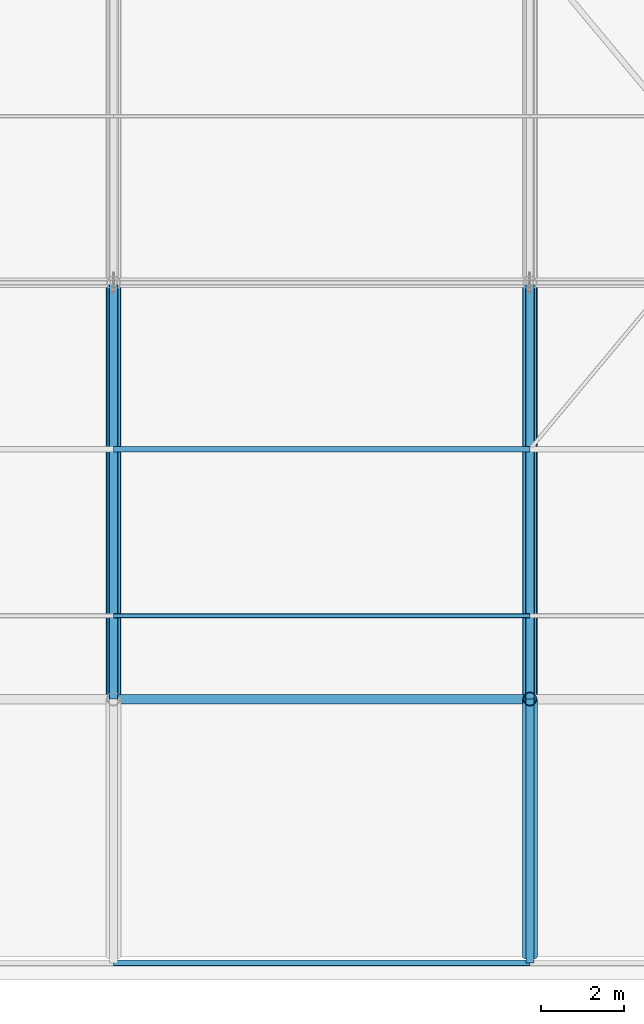
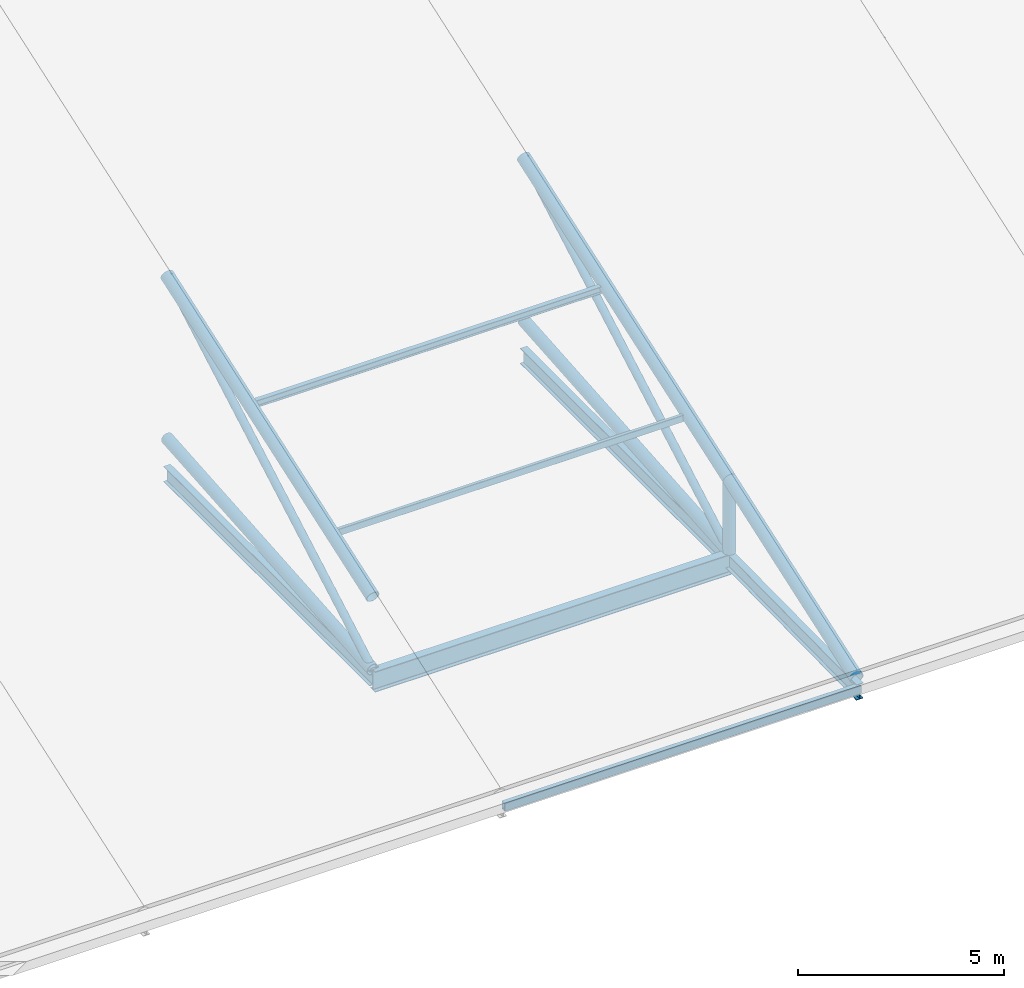
# One storey, part 18 of 93: 10 members, 5 beams.
"""IFC4 building model written with IfcOpenShell, lengths in metres."""

from ifc_helpers import new_model, si_unit, derived_unit, direction, frame, origin, origin_2d_with_axis, place, context, subcontext, project, spatial, hollow_rectangle, hollow_circle, i_section, extrude, material, material_profile, profile_set, type_object, element, save


model = new_model("IFC4")

# Units and contexts
model_context = context("Model", 3, precision=1e-05, world=origin(), true_north=direction((0.0, 1.0)))
body_context = subcontext(model_context, "Body", "Model", "MODEL_VIEW")
ifc_project = project(units=[si_unit("LENGTHUNIT", "METRE"), si_unit("AREAUNIT", "SQUARE_METRE"), si_unit("VOLUMEUNIT", "CUBIC_METRE"), si_unit("PLANEANGLEUNIT", "RADIAN"), si_unit("MASSUNIT", "GRAM", prefix="KILO"), derived_unit("THERMALTRANSMITTANCEUNIT", [(si_unit("POWERUNIT", "WATT"), 1), (si_unit("LENGTHUNIT", "METRE"), -2), (si_unit("THERMODYNAMICTEMPERATUREUNIT", "KELVIN"), -1)])], contexts=[model_context])

# Site, building, storey
site_placement = place(None, origin())
site = spatial("IfcSite", under=ifc_project, at=site_placement, CompositionType="ELEMENT")
building_placement = place(site_placement, origin())
building = spatial("IfcBuilding", under=site, at=building_placement, Name="Cinnabar Yard Market Hall", CompositionType="ELEMENT")
storey_placement = place(building_placement, frame((0.0, 0.0, 23.800048828125)))
storey = spatial("IfcBuildingStorey", under=building, at=storey_placement, Name="ROOF", CompositionType="ELEMENT", Elevation=23.800048828125)

# Beams
ifc_material_1 = material(Name="Steel Grade 350 (350 MPa)", Category="steel")
ifc_material_profile_1 = material_profile(ifc_material_1, i_section(OverallWidth=0.22900390625, OverallDepth=0.611572265625, WebThickness=0.011962890625, FlangeThickness=0.01953125, FilletRadius=0.013916015625, at=origin_2d_with_axis()), Name="610UB125")
ifc_profile_set_1 = profile_set([ifc_material_profile_1], Name="Steel Grade 350 (350 MPa)")
beam_type_1 = type_object("IfcBeamType", Name="BM-B01E", PredefinedType="BEAM", material=ifc_profile_set_1)
beam_1_placement = place(storey_placement, frame((126.0, 14.0, -9.705810546875), z_axis=(1.0, 0.0, 0.0), x_axis=(0.0, 1.0, 0.0)))
element("IfcBeam", 1, at=beam_1_placement, inside=storey, type_object=beam_type_1, Name="South Springer Girder 00364", PredefinedType="BEAM", context=body_context, shape_type="SweptSolid", body=[
    extrude(i_section(OverallWidth=0.22900390625, OverallDepth=0.611572265625, WebThickness=0.011962890625, FlangeThickness=0.01953125, FilletRadius=0.013916015625, at=origin_2d_with_axis()), origin(), (0.0, 0.0, 1.0), 10.0),
])
ifc_material_2 = material(Name="Steel Grade 300 (300 MPa)", Category="steel")
ifc_material_profile_2 = material_profile(ifc_material_2, i_section(OverallWidth=0.19091796875, OverallDepth=0.46044921875, WebThickness=0.010009765625, FlangeThickness=0.01611328125, FilletRadius=0.011474609375, at=origin_2d_with_axis()), Name="460UB82.1")
ifc_profile_set_2 = profile_set([ifc_material_profile_2], Name="Steel Grade 300 (300 MPa)")
beam_type_2 = type_object("IfcBeamType", Name="BM-B04", PredefinedType="BEAM", material=ifc_profile_set_2)
for number, where, z_axis, x_axis, name in (
    (2, (126.0, 24.0, -9.630126953125), (0.0, -1.0, 0.0), (1.0, 0.0, 0.0), "South Chhajja Backspan Girder 00536"),
    (3, (136.0, 24.0, -9.630126953125), (0.0, -1.0, 0.0), (1.0, 0.0, 0.0), "South Chhajja Backspan Girder 00540"),
):
    element("IfcBeam", number, at=place(storey_placement, frame(where, z_axis=z_axis, x_axis=x_axis)), inside=storey, type_object=beam_type_2, Name=name, PredefinedType="BEAM", context=body_context, shape_type="SweptSolid", body=[
        extrude(i_section(OverallWidth=0.19091796875, OverallDepth=0.46044921875, WebThickness=0.010009765625, FlangeThickness=0.01611328125, FilletRadius=0.011474609375, at=origin_2d_with_axis()), origin(), (0.0, 0.0, 1.0), 10.0),
    ])
ifc_material_profile_3 = material_profile(ifc_material_2, i_section(OverallWidth=0.19091796875, OverallDepth=0.46044921875, WebThickness=0.010009765625, FlangeThickness=0.01611328125, FilletRadius=0.011474609375, at=origin_2d_with_axis()), Name="460UB82.1")
ifc_profile_set_3 = profile_set([ifc_material_profile_3], Name="Steel Grade 300 (300 MPa)")
beam_type_3 = type_object("IfcBeamType", Name="BM-RF02E", PredefinedType="BEAM", material=ifc_profile_set_3)
beam_2_placement = place(storey_placement, frame((136.0, 14.0, -9.630126953125), z_axis=(0.0, -0.999920245484, -0.012629436656), x_axis=(1.0, 0.0, 0.0)))
element("IfcBeam", 4, at=beam_2_placement, inside=storey, type_object=beam_type_3, Name="South Chhajja Cantilever Rafter 00541", PredefinedType="BEAM", context=body_context, shape_type="SweptSolid", body=[
    extrude(i_section(OverallWidth=0.19091796875, OverallDepth=0.46044921875, WebThickness=0.010009765625, FlangeThickness=0.01611328125, FilletRadius=0.011474609375, at=origin_2d_with_axis()), origin(), (0.0, 0.0, 1.0), 6.340576171875),
])
ifc_material_3 = material(Name="Cold-formed steel C350L0", Category="steel")
ifc_material_profile_4 = material_profile(ifc_material_3, hollow_rectangle(XDim=0.14990234375, YDim=0.25, WallThickness=0.009033203125, InnerFilletRadius=0.009033203125, OuterFilletRadius=0.01806640625, at=origin_2d_with_axis()), Name="250x150x9.0RHS")
ifc_profile_set_4 = profile_set([ifc_material_profile_4], Name="Cold-formed steel C350L0")
beam_type_4 = type_object("IfcBeamType", Name="BM-SP01E", PredefinedType="SPANDREL", material=ifc_profile_set_4)
beam_3_placement = place(storey_placement, frame((126.0, 7.659912109375, -9.60498046875), z_axis=(1.0, 0.0, 0.0), x_axis=(0.0, 1.0, 0.0)))
element("IfcBeam", 5, at=beam_3_placement, inside=storey, type_object=beam_type_4, Name="South Eave Fascia 00556", PredefinedType="SPANDREL", context=body_context, shape_type="SweptSolid", body=[
    extrude(hollow_rectangle(XDim=0.14990234375, YDim=0.25, WallThickness=0.009033203125, InnerFilletRadius=0.009033203125, OuterFilletRadius=0.01806640625, at=origin_2d_with_axis()), origin(), (0.0, 0.0, 1.0), 10.0),
])

# Members
ifc_material_profile_5 = material_profile(ifc_material_3, hollow_circle(Radius=0.161865234375, WallThickness=0.009521484375, at=origin_2d_with_axis()), Name="323.9x9.5CHS")
ifc_profile_set_5 = profile_set([ifc_material_profile_5], Name="Cold-formed steel C350L0")
member_type_1 = type_object("IfcMemberType", Name="MB-BC01", PredefinedType="CHORD", material=ifc_profile_set_5)
for number, where, z_axis, x_axis, name in (
    (6, (126.0, 14.0, -9.400146484375), (0.0, 0.99681489162, 0.07975005859), (-1.0, 0.0, 0.0), "Hall Truss 126 Bottom Chord 1"),
    (7, (136.0, 14.0, -9.400146484375), (0.0, 0.99681489162, 0.07975005859), (-1.0, 0.0, 0.0), "Hall Truss 136 Bottom Chord 1"),
):
    element("IfcMember", number, at=place(storey_placement, frame(where, z_axis=z_axis, x_axis=x_axis)), inside=storey, type_object=member_type_1, Name=name, PredefinedType="CHORD", context=body_context, shape_type="SweptSolid", body=[
        extrude(hollow_circle(Radius=0.161865234375, WallThickness=0.009521484375, at=origin_2d_with_axis()), origin(), (0.0, 0.0, 1.0), 10.031982421875),
    ])
ifc_material_profile_6 = material_profile(ifc_material_3, hollow_circle(Radius=0.109619140625, WallThickness=0.00830078125, at=origin_2d_with_axis()), Name="219.1x8.2CHS")
ifc_profile_set_6 = profile_set([ifc_material_profile_6], Name="Cold-formed steel C350L0")
member_type_2 = type_object("IfcMemberType", Name="MB-DG01", PredefinedType="BRACE", material=ifc_profile_set_6)
for number, where, z_axis, x_axis, name in (
    (8, (126.0, 14.0, -9.400146484375), (0.0, 0.871057093215, 0.491181779345), (-1.0, 0.0, 0.0), "Hall Truss 126 Diagonal 1"),
    (9, (136.0, 14.0, -9.400146484375), (0.0, 0.871057093215, 0.491181779345), (-1.0, 0.0, 0.0), "Hall Truss 136 Diagonal 1"),
):
    element("IfcMember", number, at=place(storey_placement, frame(where, z_axis=z_axis, x_axis=x_axis)), inside=storey, type_object=member_type_2, Name=name, PredefinedType="BRACE", context=body_context, shape_type="SweptSolid", body=[
        extrude(hollow_circle(Radius=0.109619140625, WallThickness=0.00830078125, at=origin_2d_with_axis()), origin(), (0.0, 0.0, 1.0), 11.480224609375),
    ])
ifc_material_profile_7 = material_profile(ifc_material_3, hollow_rectangle(XDim=0.10009765625, YDim=0.199951171875, WallThickness=0.006103515625, InnerFilletRadius=0.006103515625, OuterFilletRadius=0.011962890625, at=origin_2d_with_axis()), Name="200x100x6.0RHS")
ifc_profile_set_7 = profile_set([ifc_material_profile_7], Name="Cold-formed steel C350L0")
member_type_3 = type_object("IfcMemberType", Name="MB-PU01", PredefinedType="PURLIN", material=ifc_profile_set_7)
member_1_placement = place(storey_placement, frame((126.0, 16.0, -6.5859375), z_axis=(1.0, 0.0, 0.0), x_axis=(0.0, 1.0, 0.0)))
element("IfcMember", 10, at=member_1_placement, inside=storey, type_object=member_type_3, Name="Hall Roof Purlin Y16 X126", PredefinedType="PURLIN", context=body_context, shape_type="SweptSolid", body=[
    extrude(hollow_rectangle(XDim=0.10009765625, YDim=0.199951171875, WallThickness=0.006103515625, InnerFilletRadius=0.006103515625, OuterFilletRadius=0.011962890625, at=origin_2d_with_axis()), origin(), (0.0, 0.0, 1.0), 10.0),
])
ifc_material_profile_8 = material_profile(ifc_material_2, i_section(OverallWidth=0.134033203125, OverallDepth=0.20703125, WebThickness=0.00634765625, FlangeThickness=0.009521484375, FilletRadius=0.0087890625, at=origin_2d_with_axis()), Name="200UB29.8")
ifc_profile_set_8 = profile_set([ifc_material_profile_8], Name="Steel Grade 300 (300 MPa)")
member_type_4 = type_object("IfcMemberType", Name="MB-PU02", PredefinedType="PURLIN", material=ifc_profile_set_8)
member_2_placement = place(storey_placement, frame((126.0, 20.0, -5.193603515625), z_axis=(1.0, 0.0, 0.0), x_axis=(0.0, 1.0, 0.0)))
element("IfcMember", 11, at=member_2_placement, inside=storey, type_object=member_type_4, Name="Hall Roof Purlin Y20 X126", PredefinedType="PURLIN", context=body_context, shape_type="SweptSolid", body=[
    extrude(i_section(OverallWidth=0.134033203125, OverallDepth=0.20703125, WebThickness=0.00634765625, FlangeThickness=0.009521484375, FilletRadius=0.0087890625, at=origin_2d_with_axis()), origin(), (0.0, 0.0, 1.0), 10.0),
])
ifc_material_4 = material(Name="Spotted-gum glulam-clad steel Grade 350 (350 MPa)", Category="steel")
ifc_material_profile_9 = material_profile(ifc_material_4, hollow_circle(Radius=0.161865234375, WallThickness=0.009521484375, at=origin_2d_with_axis()), Name="323.9x9.5CHS")
ifc_profile_set_9 = profile_set([ifc_material_profile_9], Name="Spotted-gum glulam-clad steel Grade 350 (350 MPa)")
member_type_5 = type_object("IfcMemberType", Name="MB-ST01E", PredefinedType="STRUT", material=ifc_profile_set_9)
member_3_placement = place(storey_placement, frame((136.0, 14.0, -9.400146484375), z_axis=(0.0, 0.0, 1.0), x_axis=(1.0, 0.0, 0.0)))
element("IfcMember", 12, at=member_3_placement, inside=storey, type_object=member_type_5, Name="Truss Bearing Post 136-14", PredefinedType="STRUT", context=body_context, shape_type="SweptSolid", body=[
    extrude(hollow_circle(Radius=0.161865234375, WallThickness=0.009521484375, at=origin_2d_with_axis()), origin(), (0.0, 0.0, 1.0), 2.158203125),
])
ifc_material_profile_10 = material_profile(ifc_material_3, hollow_circle(Radius=0.177734375, WallThickness=0.0126953125, at=origin_2d_with_axis()), Name="355.6x12.7CHS")
ifc_profile_set_10 = profile_set([ifc_material_profile_10], Name="Cold-formed steel C350L0")
member_type_6 = type_object("IfcMemberType", Name="MB-TC01", PredefinedType="CHORD", material=ifc_profile_set_10)
for number, where, z_axis, x_axis, name in (
    (13, (126.0, 14.0, -7.241943359375), (0.0, 0.944424919483, 0.328727199147), (-1.0, 0.0, 0.0), "Hall Truss 126 Top Chord 1"),
    (14, (136.0, 14.0, -7.241943359375), (0.0, 0.944424919483, 0.328727199147), (-1.0, 0.0, 0.0), "Hall Truss 136 Top Chord 1"),
):
    element("IfcMember", number, at=place(storey_placement, frame(where, z_axis=z_axis, x_axis=x_axis)), inside=storey, type_object=member_type_6, Name=name, PredefinedType="CHORD", context=body_context, shape_type="SweptSolid", body=[
        extrude(hollow_circle(Radius=0.177734375, WallThickness=0.0126953125, at=origin_2d_with_axis()), origin(), (0.0, 0.0, 1.0), 10.58837890625),
    ])
ifc_material_profile_11 = material_profile(ifc_material_3, hollow_circle(Radius=0.177734375, WallThickness=0.0126953125, at=origin_2d_with_axis()), Name="355.6x12.7CHS")
ifc_profile_set_11 = profile_set([ifc_material_profile_11], Name="Cold-formed steel C350L0")
member_type_7 = type_object("IfcMemberType", Name="MB-TC01E", PredefinedType="CHORD", material=ifc_profile_set_11)
member_4_placement = place(storey_placement, frame((136.0, 14.0, -7.241943359375), z_axis=(0.0, -0.944416495302, -0.328751400609), x_axis=(1.0, 0.0, 0.0)))
element("IfcMember", 15, at=member_4_placement, inside=storey, type_object=member_type_7, Name="South Sloped Eave Rafter 136", PredefinedType="CHORD", context=body_context, shape_type="SweptSolid", body=[
    extrude(hollow_circle(Radius=0.177734375, WallThickness=0.0126953125, at=origin_2d_with_axis()), origin(), (0.0, 0.0, 1.0), 6.56494140625),
])

save(model, "model.ifc")
